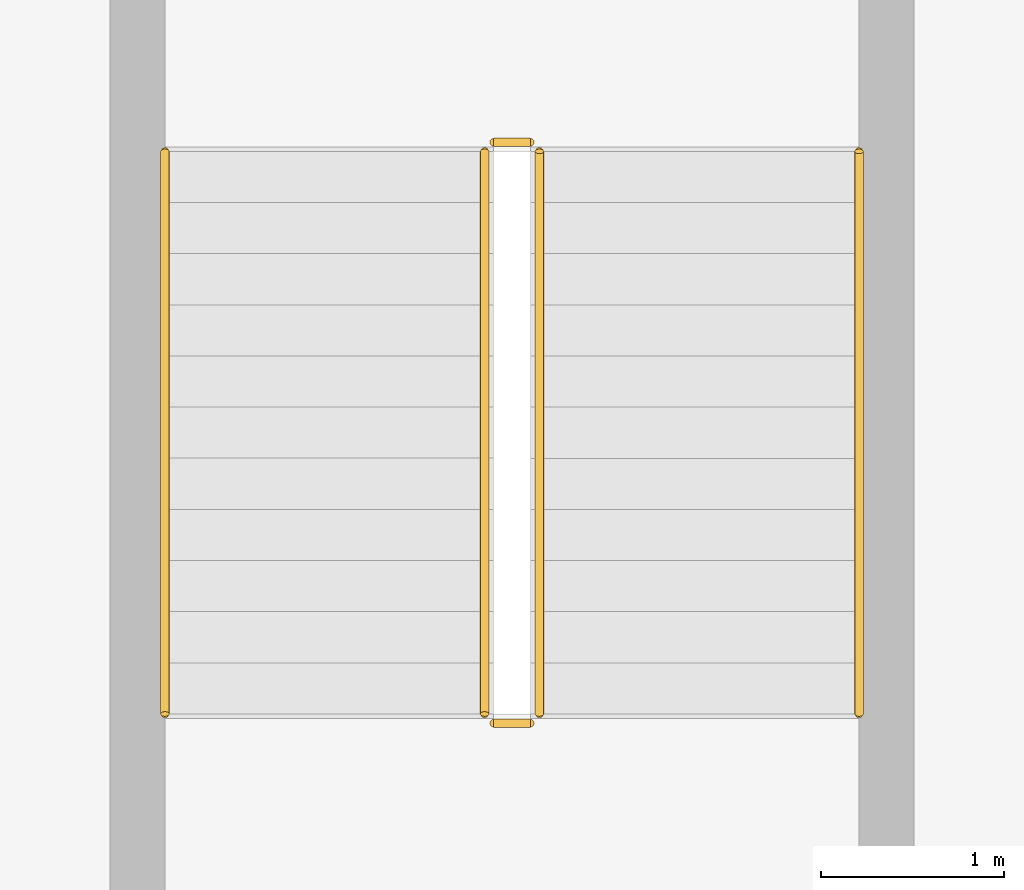
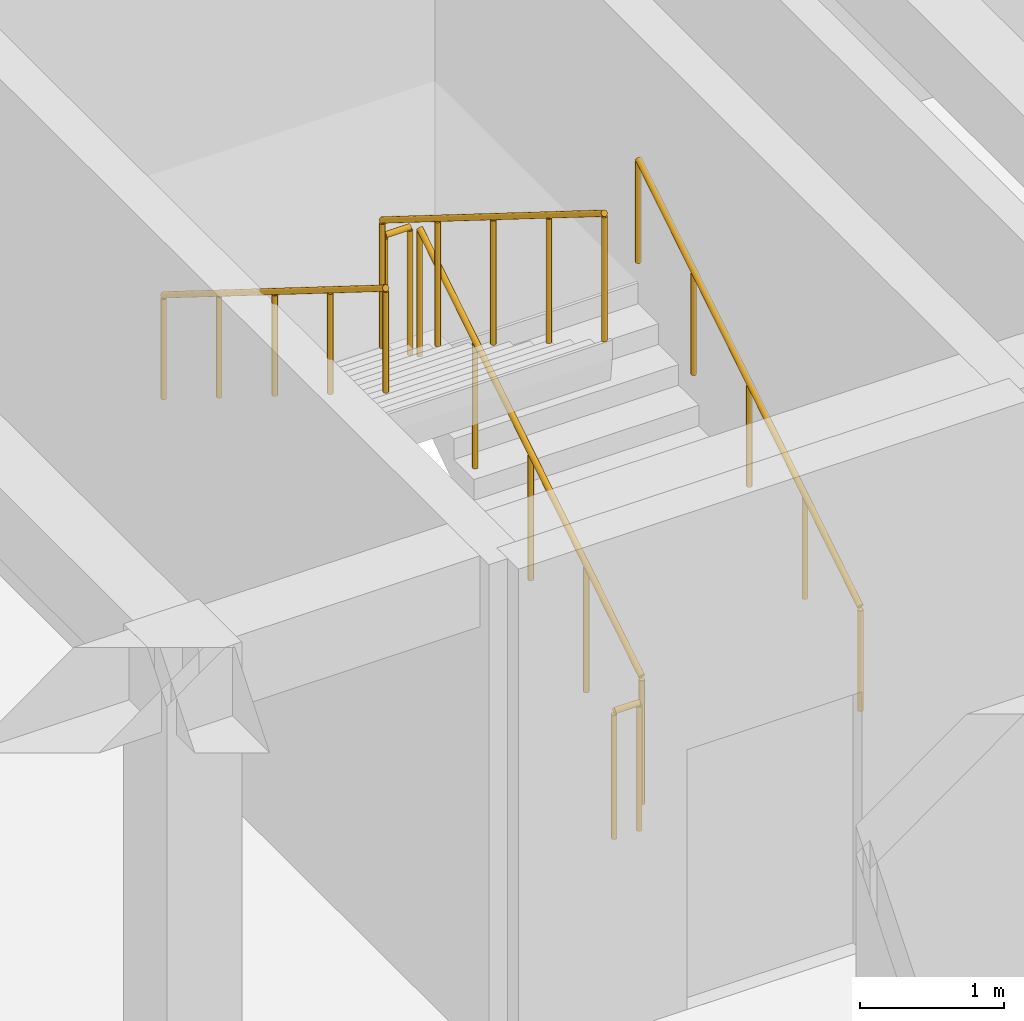
# One storey, part 42 of 42: 6 railings.
"""IFC4 building model written with IfcOpenShell, lengths in metres."""

import ifcopenshell
import ifcopenshell.guid

model = None  # the IFC model being written
_history = None  # IfcOwnerHistory: only IFC2X3 demands one
_inside = {}  # id of a spatial element -> (the spatial element, [elements in it])
_under = {}  # id of a project, library or spatial element -> (it, [spatial elements below it])
_declared = {}  # id of a project -> (the project, [libraries it declares])
_typed = {}  # id of a type object -> (the type object, [elements of that type])
_made_of = {}  # id of a material, layer set ... -> (it, [elements and type objects made of it])


def new_model(schema):
    """Start an empty IFC model of exactly this schema.

    Asked for "IFC4X3", IfcOpenShell would pick the latest addendum, in which some entities
    have other attributes; the version numbers below select the first issue.
    IFC2X3 requires an IfcOwnerHistory on every rooted entity: one is made here for all.
    """
    global model, _history
    if schema == "IFC4X3":
        model = ifcopenshell.file(schema_version=(4, 3, 0, 0))
    else:
        model = ifcopenshell.file(schema=schema)
    _inside.clear()
    _under.clear()
    _declared.clear()
    _typed.clear()
    _made_of.clear()
    _history = None
    if model.schema == "IFC2X3":
        org = make("IfcOrganization", Name="unknown")
        user = make(
            "IfcPersonAndOrganization",
            ThePerson=make("IfcPerson", FamilyName="unknown"),
            TheOrganization=org,
        )
        app = make(
            "IfcApplication",
            ApplicationDeveloper=org,
            Version="unknown",
            ApplicationFullName="unknown",
            ApplicationIdentifier="unknown",
        )
        _history = make(
            "IfcOwnerHistory",
            OwningUser=user,
            OwningApplication=app,
            ChangeAction="ADDED",
            CreationDate=0,
        )
    return model


def make(cls, **values):
    """One entity of the class cls with the attributes given. An attribute that is None is left unset."""
    return model.create_entity(
        cls, **{name: value for name, value in values.items() if value is not None}
    )


def rooted(cls, **values):
    """An entity with a GlobalId (a new one), such as an element, a storey or a relation."""
    return make(cls, GlobalId=ifcopenshell.guid.new(), OwnerHistory=_history, **values)


def si_unit(unit_type, name, prefix=None):
    """IfcSIUnit, for example si_unit("LENGTHUNIT", "METRE", prefix="MILLI")."""
    return make("IfcSIUnit", UnitType=unit_type, Prefix=prefix, Name=name)


def assignment(units):
    """IfcUnitAssignment: the units of a project."""
    return None if units is None else make("IfcUnitAssignment", Units=units)


def point(xyz):
    """IfcCartesianPoint."""
    return None if xyz is None else make("IfcCartesianPoint", Coordinates=xyz)


def direction(xyz):
    """IfcDirection."""
    return None if xyz is None else make("IfcDirection", DirectionRatios=xyz)


def frame(location, z_axis=None, x_axis=None):
    """IfcAxis2Placement3D, a coordinate frame: its origin and axes. An axis left out is left unset."""
    return make(
        "IfcAxis2Placement3D",
        Location=point(location),
        Axis=direction(z_axis),
        RefDirection=direction(x_axis),
    )


def frame_2d(location, x_axis=None):
    """IfcAxis2Placement2D, a coordinate frame in the plane: its origin and x axis."""
    return make(
        "IfcAxis2Placement2D", Location=point(location), RefDirection=direction(x_axis)
    )


def origin():
    """The frame at (0, 0, 0) with its axes left unset."""
    return frame((0.0, 0.0, 0.0))


def origin_2d():
    """The frame at (0, 0) in the plane with its x axis left unset."""
    return frame_2d((0.0, 0.0))


def place(relative_to, where):
    """IfcLocalPlacement: puts the frame where relative to a parent placement (None: the world)."""
    return make(
        "IfcLocalPlacement", PlacementRelTo=relative_to, RelativePlacement=where
    )


def context(
    kind, dimensions, precision=None, world=None, true_north=None, identifier=None
):
    """IfcGeometricRepresentationContext, for example the 3D "Model" context."""
    return make(
        "IfcGeometricRepresentationContext",
        ContextIdentifier=identifier,
        ContextType=kind,
        CoordinateSpaceDimension=dimensions,
        Precision=precision,
        WorldCoordinateSystem=world,
        TrueNorth=true_north,
    )


def subcontext(parent, identifier, kind, view, scale=None):
    """IfcGeometricRepresentationSubContext, for example "Body" below "Model"."""
    return make(
        "IfcGeometricRepresentationSubContext",
        ContextIdentifier=identifier,
        ContextType=kind,
        ParentContext=parent,
        TargetScale=scale,
        TargetView=view,
    )


def project(units=None, contexts=None):
    """IfcProject with its units and contexts."""
    return rooted(
        "IfcProject",
        Name="project",
        RepresentationContexts=contexts,
        UnitsInContext=assignment(units),
    )


def spatial(cls, under=None, at=None, **own):
    """A site, building, storey or space (cls), placed at a placement, below another one or the project."""
    s = rooted(cls, ObjectPlacement=at, **own)
    if under is not None:
        _under.setdefault(under.id(), (under, []))[1].append(s)
    return s


def profile(cls, at=None, kind="AREA", **sizes):
    """A parametric profile (cls). Its sizes go by their IFC names, for example OverallWidth=200.0."""
    return make(cls, ProfileType=kind, Position=at, **sizes)


def circle(**sizes):
    """IfcCircleProfileDef."""
    return profile("IfcCircleProfileDef", **sizes)


def extrude(swept, where, along, depth):
    """IfcExtrudedAreaSolid: the profile swept, set in the frame where, extruded along a direction by depth."""
    return make(
        "IfcExtrudedAreaSolid",
        SweptArea=swept,
        Position=where,
        ExtrudedDirection=direction(along),
        Depth=depth,
    )


def shape(context_of_items, identifier, shape_type, items):
    """IfcShapeRepresentation: the items that make up one representation, for example the "Body"."""
    return make(
        "IfcShapeRepresentation",
        ContextOfItems=context_of_items,
        RepresentationIdentifier=identifier,
        RepresentationType=shape_type,
        Items=items,
    )


def material(Name=None, Category=None):
    """IfcMaterial."""
    return make("IfcMaterial", Name=Name, Category=Category)


def made_of(thing, what):
    """Note that an element or type object is made of a material, layer set ...; save() writes the relation."""
    if what is not None:
        _made_of.setdefault(what.id(), (what, []))[1].append(thing)
    return thing


def type_object(cls, material=None, **own):
    """A type object (cls), such as IfcWallType, which elements share."""
    return made_of(rooted(cls, **own), material)


def element(
    cls,
    number,
    at=None,
    inside=None,
    cuts=None,
    type_object=None,
    material=None,
    context=None,
    identifier="Body",
    shape_type=None,
    held_by="IfcProductDefinitionShape",
    body=None,
    shapes=None,
    **own,
):
    """One element of the class cls, such as IfcWall. Its Tag is "e" and its number.

    at: its placement. inside: the storey or other place that contains it. cuts: it is an
    opening in that element (IfcRelVoidsElement). A single representation is given by context,
    identifier, shape_type and body (its items); several are given by shapes. held_by: the class
    of the entity that holds the representations. save() writes the other relations.
    """
    e = rooted(cls, Tag="e%d" % number, ObjectPlacement=at, **own)
    if body is not None:
        shapes = [shape(context, identifier, shape_type, body)]
    if shapes is not None:
        e.Representation = make(held_by, Representations=shapes)
    if inside is not None:
        _inside.setdefault(inside.id(), (inside, []))[1].append(e)
    if cuts is not None:
        rooted(
            "IfcRelVoidsElement", RelatingBuildingElement=cuts, RelatedOpeningElement=e
        )
    if type_object is not None:
        _typed.setdefault(type_object.id(), (type_object, []))[1].append(e)
    return made_of(e, material)


def aggregate(whole, parts):
    """IfcRelAggregates: a whole, such as a stair, and the parts it consists of."""
    return rooted("IfcRelAggregates", RelatingObject=whole, RelatedObjects=parts)


def save(model, path):
    """Write the relations noted so far, then the file.

    IfcRelAggregates (storeys below a building ...), IfcRelContainedInSpatialStructure (elements
    in a storey), IfcRelDefinesByType, IfcRelAssociatesMaterial and IfcRelDeclares: one each for
    every whole, place, type object, material and project.
    """
    for whole, parts in _under.values():
        aggregate(whole, parts)
    for where, things in _inside.values():
        rooted(
            "IfcRelContainedInSpatialStructure",
            RelatedElements=things,
            RelatingStructure=where,
        )
    for kind, things in _typed.values():
        rooted("IfcRelDefinesByType", RelatedObjects=things, RelatingType=kind)
    for what, things in _made_of.values():
        rooted("IfcRelAssociatesMaterial", RelatedObjects=things, RelatingMaterial=what)
    for by, libraries in _declared.values():
        rooted("IfcRelDeclares", RelatingContext=by, RelatedDefinitions=libraries)
    model.write(path)


model = new_model("IFC4")

# Units and contexts
model_context = context("Model", 3, precision=1e-05, world=origin(), true_north=direction((0.0, 1.0)))
body_context = subcontext(model_context, "Body", "Model", "MODEL_VIEW")
ifc_project = project(units=[si_unit("LENGTHUNIT", "METRE"), si_unit("AREAUNIT", "SQUARE_METRE"), si_unit("VOLUMEUNIT", "CUBIC_METRE"), si_unit("PLANEANGLEUNIT", "RADIAN"), si_unit("MASSUNIT", "GRAM", prefix="KILO")], contexts=[model_context])

# Site, building, storey
site_placement = place(None, origin())
site = spatial("IfcSite", under=ifc_project, at=site_placement, CompositionType="ELEMENT")
building_placement = place(site_placement, origin())
building = spatial("IfcBuilding", under=site, at=building_placement, Name="Varncliffe General Hospital", CompositionType="ELEMENT")
storey_placement = place(building_placement, frame((0.0, 0.0, 20.39990234375)))
storey = spatial("IfcBuildingStorey", under=building, at=storey_placement, Name="L04", CompositionType="ELEMENT", Elevation=20.39990234375)

# Railings
ifc_material = material(Name="Powder-coated hospital steel guardrail and handrail", Category="steel")
railing_type_1 = type_object("IfcRailingType", Name="Stair and Ramp Handrail HR46", PredefinedType="HANDRAIL", material=ifc_material)
railing_1_placement = place(storey_placement, frame((165.949951171875, 118.0, 0.35400390625)))
element("IfcRailing", 1, at=railing_1_placement, inside=storey, type_object=railing_type_1, Name="L04 ST04 stair handrail 1", PredefinedType="HANDRAIL", context=body_context, shape_type="SweptSolid", body=[
    extrude(circle(Radius=0.02392578125, at=origin_2d()), frame((0.0, 0.0, 0.8759765625), z_axis=(0.0, 0.847998304005, 0.529998940003), x_axis=(-1.0, 0.0, 0.0)), (0.0, 0.0, 1.0), 3.632080078125),
    extrude(circle(Radius=0.02099609375, at=origin_2d()), origin(), (0.0, 0.0, 1.0), 0.851806640625),
    extrude(circle(Radius=0.02099609375, at=origin_2d()), frame((0.0, 0.77001953125, 0.481201171875)), (0.0, 0.0, 1.0), 0.851806640625),
    extrude(circle(Radius=0.02099609375, at=origin_2d()), frame((0.0, 1.5400390625, 0.96240234375)), (0.0, 0.0, 1.0), 0.851806640625),
    extrude(circle(Radius=0.02099609375, at=origin_2d()), frame((0.0, 2.31005859375, 1.44384765625)), (0.0, 0.0, 1.0), 0.851806640625),
    extrude(circle(Radius=0.02099609375, at=origin_2d()), frame((0.0, 3.080078125, 1.925048828125)), (0.0, 0.0, 1.0), 0.851806640625),
])
railing_2_placement = place(storey_placement, frame((162.14990234375, 121.080078125, 2.4541015625)))
element("IfcRailing", 2, at=railing_2_placement, inside=storey, type_object=railing_type_1, Name="L04 ST04 stair handrail 2", PredefinedType="HANDRAIL", context=body_context, shape_type="SweptSolid", body=[
    extrude(circle(Radius=0.02392578125, at=origin_2d()), frame((0.0, 0.0, 0.8759765625), z_axis=(0.0, -0.847998304005, 0.529998940003), x_axis=(1.0, 0.0, 0.0)), (0.0, 0.0, 1.0), 3.632080078125),
    extrude(circle(Radius=0.02099609375, at=origin_2d()), origin(), (0.0, 0.0, 1.0), 0.851806640625),
    extrude(circle(Radius=0.02099609375, at=origin_2d()), frame((0.0, -0.77001953125, 0.481201171875)), (0.0, 0.0, 1.0), 0.851806640625),
    extrude(circle(Radius=0.02099609375, at=origin_2d()), frame((0.0, -1.5400390625, 0.96240234375)), (0.0, 0.0, 1.0), 0.851806640625),
    extrude(circle(Radius=0.02099609375, at=origin_2d()), frame((0.0, -2.31005859375, 1.44384765625)), (0.0, 0.0, 1.0), 0.851806640625),
    extrude(circle(Radius=0.02099609375, at=origin_2d()), frame((0.0, -3.080078125, 1.925048828125)), (0.0, 0.0, 1.0), 0.851806640625),
])
railing_type_2 = type_object("IfcRailingType", Name="Stairwell Guardrail SG49", PredefinedType="GUARDRAIL", material=ifc_material)
railing_3_placement = place(storey_placement, frame((164.199951171875, 118.0, 0.175048828125)))
element("IfcRailing", 3, at=railing_3_placement, inside=storey, type_object=railing_type_2, Name="L04 ST04 stair guard 1", PredefinedType="GUARDRAIL", context=body_context, shape_type="SweptSolid", body=[
    extrude(circle(Radius=0.02392578125, at=origin_2d()), frame((0.0, 0.0, 1.076171875), z_axis=(0.0, 0.847998304005, 0.529998940003), x_axis=(-1.0, 0.0, 0.0)), (0.0, 0.0, 1.0), 3.632080078125),
    extrude(circle(Radius=0.02099609375, at=origin_2d()), origin(), (0.0, 0.0, 1.0), 1.052001953125),
    extrude(circle(Radius=0.02099609375, at=origin_2d()), frame((0.0, 0.77001953125, 0.481201171875)), (0.0, 0.0, 1.0), 1.052001953125),
    extrude(circle(Radius=0.02099609375, at=origin_2d()), frame((0.0, 1.5400390625, 0.96240234375)), (0.0, 0.0, 1.0), 1.052001953125),
    extrude(circle(Radius=0.02099609375, at=origin_2d()), frame((0.0, 2.31005859375, 1.44384765625)), (0.0, 0.0, 1.0), 1.052001953125),
    extrude(circle(Radius=0.02099609375, at=origin_2d()), frame((0.0, 3.080078125, 1.925048828125)), (0.0, 0.0, 1.0), 1.052001953125),
])
railing_4_placement = place(storey_placement, frame((164.14990234375, 121.1298828125, 2.10009765625)))
element("IfcRailing", 4, at=railing_4_placement, inside=storey, type_object=railing_type_2, Name="L04 ST04 stair guard 2", PredefinedType="GUARDRAIL", context=body_context, shape_type="SweptSolid", body=[
    extrude(circle(Radius=0.02392578125, at=origin_2d()), frame((0.0, 0.0, 1.076171875), z_axis=(-1.0, 0.0, 0.0), x_axis=(0.0, -1.0, 0.0)), (0.0, 0.0, 1.0), 0.199951171875),
    extrude(circle(Radius=0.02099609375, at=origin_2d()), origin(), (0.0, 0.0, 1.0), 1.052001953125),
    extrude(circle(Radius=0.02099609375, at=origin_2d()), frame((-0.199951171875, 0.0, 0.0)), (0.0, 0.0, 1.0), 1.052001953125),
])
railing_5_placement = place(storey_placement, frame((163.89990234375, 121.080078125, 2.275146484375)))
element("IfcRailing", 5, at=railing_5_placement, inside=storey, type_object=railing_type_2, Name="L04 ST04 stair guard 3", PredefinedType="GUARDRAIL", context=body_context, shape_type="SweptSolid", body=[
    extrude(circle(Radius=0.02392578125, at=origin_2d()), frame((0.0, 0.0, 1.076171875), z_axis=(0.0, -0.847998304005, 0.529998940003), x_axis=(1.0, 0.0, 0.0)), (0.0, 0.0, 1.0), 3.632080078125),
    extrude(circle(Radius=0.02099609375, at=origin_2d()), origin(), (0.0, 0.0, 1.0), 1.052001953125),
    extrude(circle(Radius=0.02099609375, at=origin_2d()), frame((0.0, -0.77001953125, 0.481201171875)), (0.0, 0.0, 1.0), 1.052001953125),
    extrude(circle(Radius=0.02099609375, at=origin_2d()), frame((0.0, -1.5400390625, 0.96240234375)), (0.0, 0.0, 1.0), 1.052001953125),
    extrude(circle(Radius=0.02099609375, at=origin_2d()), frame((0.0, -2.31005859375, 1.44384765625)), (0.0, 0.0, 1.0), 1.052001953125),
    extrude(circle(Radius=0.02099609375, at=origin_2d()), frame((0.0, -3.080078125, 1.925048828125)), (0.0, 0.0, 1.0), 1.052001953125),
])
railing_6_placement = place(storey_placement, frame((164.14990234375, 117.949951171875, 0.0)))
element("IfcRailing", 6, at=railing_6_placement, inside=storey, type_object=railing_type_2, Name="L04 ST04 stair guard 4", PredefinedType="GUARDRAIL", context=body_context, shape_type="SweptSolid", body=[
    extrude(circle(Radius=0.02392578125, at=origin_2d()), frame((0.0, 0.0, 1.076171875), z_axis=(-1.0, 0.0, 0.0), x_axis=(0.0, -1.0, 0.0)), (0.0, 0.0, 1.0), 0.199951171875),
    extrude(circle(Radius=0.02099609375, at=origin_2d()), origin(), (0.0, 0.0, 1.0), 1.052001953125),
    extrude(circle(Radius=0.02099609375, at=origin_2d()), frame((-0.199951171875, 0.0, 0.0)), (0.0, 0.0, 1.0), 1.052001953125),
])

save(model, "model.ifc")
